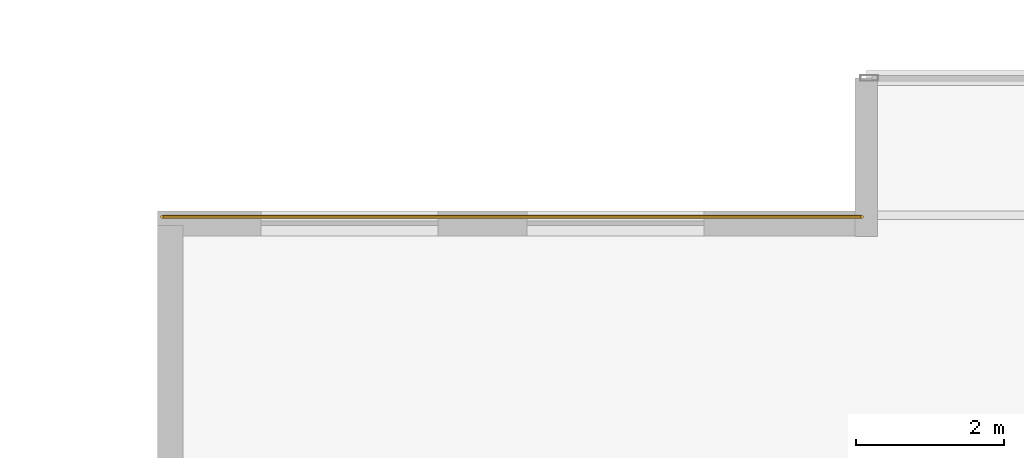
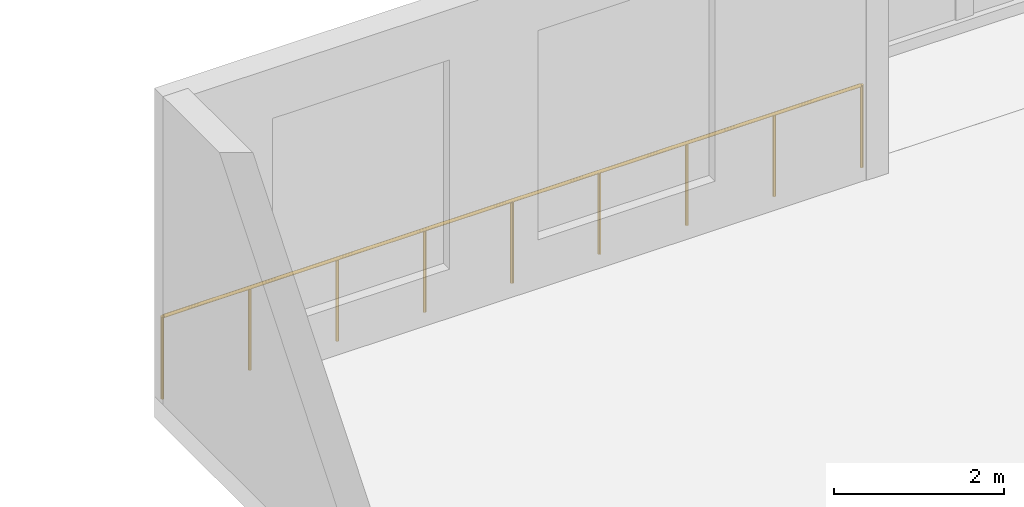
# One storey, part 123 of 133: 1 railing.
"""IFC4 building model written with IfcOpenShell, lengths in metres."""

from ifc_helpers import new_model, si_unit, direction, frame, origin, origin_2d, place, context, subcontext, project, spatial, circle, extrude, material, type_object, element, save


model = new_model("IFC4")

# Units and contexts
model_context = context("Model", 3, precision=1e-05, world=origin(), true_north=direction((0.0, 1.0)))
body_context = subcontext(model_context, "Body", "Model", "MODEL_VIEW")
ifc_project = project(units=[si_unit("LENGTHUNIT", "METRE"), si_unit("AREAUNIT", "SQUARE_METRE"), si_unit("VOLUMEUNIT", "CUBIC_METRE"), si_unit("PLANEANGLEUNIT", "RADIAN"), si_unit("MASSUNIT", "GRAM", prefix="KILO")], contexts=[model_context])

# Site, building, storey
site_placement = place(None, origin())
site = spatial("IfcSite", under=ifc_project, at=site_placement, CompositionType="ELEMENT")
building_placement = place(site_placement, origin())
building = spatial("IfcBuilding", under=site, at=building_placement, Name="Nakhvara Creek Congress Hotel", CompositionType="ELEMENT")
storey_placement = place(building_placement, frame((0.0, 0.0, 11.39990234375)))
storey = spatial("IfcBuildingStorey", under=building, at=storey_placement, Name="L02", CompositionType="ELEMENT", Elevation=11.39990234375)

# Railing
ifc_material = material(Name="Brushed stainless steel 316L", Category="steel")
railing_type = type_object("IfcRailingType", Name="RL-GUARD-1200", PredefinedType="GUARDRAIL", material=ifc_material)
railing_placement = place(storey_placement, frame((57.659912109375, 95.919921875, 0.0)))
element("IfcRailing", 1, at=railing_placement, inside=storey, type_object=railing_type, Name="North Conference Edge Guard L02-57", PredefinedType="GUARDRAIL", context=body_context, shape_type="SweptSolid", body=[
    extrude(circle(Radius=0.02392578125, at=origin_2d()), frame((0.0146484375, 0.0, 1.17578125), z_axis=(1.0, 0.0, 0.0), x_axis=(0.0, 1.0, 0.0)), (0.0, 0.0, 1.0), 9.45068359375),
    extrude(circle(Radius=0.02099609375, at=origin_2d()), origin(), (0.0, 0.0, 1.0), 1.1806640625),
    extrude(circle(Radius=0.02099609375, at=origin_2d()), frame((1.18505859375, 0.0, 0.0)), (0.0, 0.0, 1.0), 1.1806640625),
    extrude(circle(Radius=0.02099609375, at=origin_2d()), frame((2.3701171875, 0.0, 0.0)), (0.0, 0.0, 1.0), 1.1806640625),
    extrude(circle(Radius=0.02099609375, at=origin_2d()), frame((3.554931640625, 0.0, 0.0)), (0.0, 0.0, 1.0), 1.1806640625),
    extrude(circle(Radius=0.02099609375, at=origin_2d()), frame((4.739990234375, 0.0, 0.0)), (0.0, 0.0, 1.0), 1.1806640625),
    extrude(circle(Radius=0.02099609375, at=origin_2d()), frame((5.925048828125, 0.0, 0.0)), (0.0, 0.0, 1.0), 1.1806640625),
    extrude(circle(Radius=0.02099609375, at=origin_2d()), frame((7.10986328125, 0.0, 0.0)), (0.0, 0.0, 1.0), 1.1806640625),
    extrude(circle(Radius=0.02099609375, at=origin_2d()), frame((8.294921875, 0.0, 0.0)), (0.0, 0.0, 1.0), 1.1806640625),
    extrude(circle(Radius=0.02099609375, at=origin_2d()), frame((9.47998046875, 0.0, 0.0)), (0.0, 0.0, 1.0), 1.1806640625),
])

save(model, "model.ifc")
